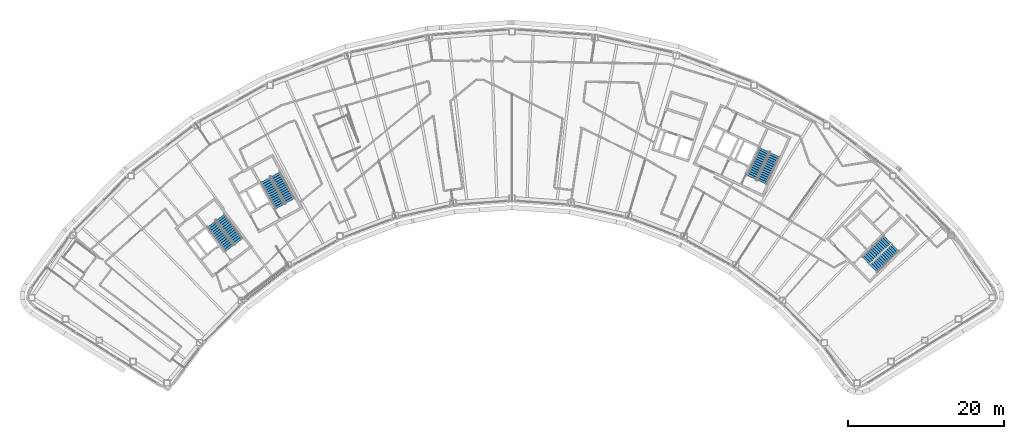
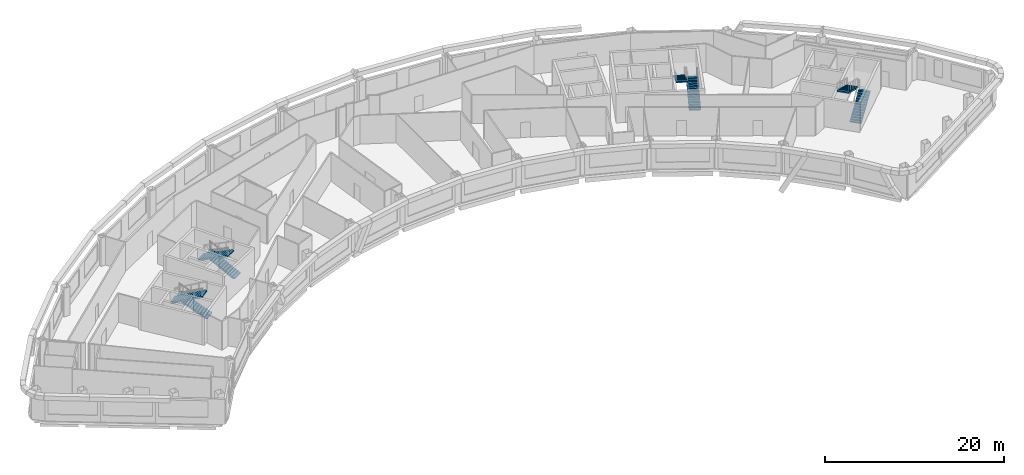
# One storey, part 12 of 14: 8 stair flights, 4 elements without a shape of their own.
"""IFC4 building model written with IfcOpenShell, lengths in metres."""

import ifcopenshell
import ifcopenshell.guid

model = None  # the IFC model being written
_history = None  # IfcOwnerHistory: only IFC2X3 demands one
_inside = {}  # id of a spatial element -> (the spatial element, [elements in it])
_under = {}  # id of a project, library or spatial element -> (it, [spatial elements below it])
_declared = {}  # id of a project -> (the project, [libraries it declares])
_typed = {}  # id of a type object -> (the type object, [elements of that type])
_made_of = {}  # id of a material, layer set ... -> (it, [elements and type objects made of it])


def new_model(schema):
    """Start an empty IFC model of exactly this schema.

    Asked for "IFC4X3", IfcOpenShell would pick the latest addendum, in which some entities
    have other attributes; the version numbers below select the first issue.
    IFC2X3 requires an IfcOwnerHistory on every rooted entity: one is made here for all.
    """
    global model, _history
    if schema == "IFC4X3":
        model = ifcopenshell.file(schema_version=(4, 3, 0, 0))
    else:
        model = ifcopenshell.file(schema=schema)
    _inside.clear()
    _under.clear()
    _declared.clear()
    _typed.clear()
    _made_of.clear()
    _history = None
    if model.schema == "IFC2X3":
        org = make("IfcOrganization", Name="unknown")
        user = make(
            "IfcPersonAndOrganization",
            ThePerson=make("IfcPerson", FamilyName="unknown"),
            TheOrganization=org,
        )
        app = make(
            "IfcApplication",
            ApplicationDeveloper=org,
            Version="unknown",
            ApplicationFullName="unknown",
            ApplicationIdentifier="unknown",
        )
        _history = make(
            "IfcOwnerHistory",
            OwningUser=user,
            OwningApplication=app,
            ChangeAction="ADDED",
            CreationDate=0,
        )
    return model


def make(cls, **values):
    """One entity of the class cls with the attributes given. An attribute that is None is left unset."""
    return model.create_entity(
        cls, **{name: value for name, value in values.items() if value is not None}
    )


def rooted(cls, **values):
    """An entity with a GlobalId (a new one), such as an element, a storey or a relation."""
    return make(cls, GlobalId=ifcopenshell.guid.new(), OwnerHistory=_history, **values)


def si_unit(unit_type, name, prefix=None):
    """IfcSIUnit, for example si_unit("LENGTHUNIT", "METRE", prefix="MILLI")."""
    return make("IfcSIUnit", UnitType=unit_type, Prefix=prefix, Name=name)


def assignment(units):
    """IfcUnitAssignment: the units of a project."""
    return None if units is None else make("IfcUnitAssignment", Units=units)


def point(xyz):
    """IfcCartesianPoint."""
    return None if xyz is None else make("IfcCartesianPoint", Coordinates=xyz)


def direction(xyz):
    """IfcDirection."""
    return None if xyz is None else make("IfcDirection", DirectionRatios=xyz)


def frame(location, z_axis=None, x_axis=None):
    """IfcAxis2Placement3D, a coordinate frame: its origin and axes. An axis left out is left unset."""
    return make(
        "IfcAxis2Placement3D",
        Location=point(location),
        Axis=direction(z_axis),
        RefDirection=direction(x_axis),
    )


def origin():
    """The frame at (0, 0, 0) with its axes left unset."""
    return frame((0.0, 0.0, 0.0))


def place(relative_to, where):
    """IfcLocalPlacement: puts the frame where relative to a parent placement (None: the world)."""
    return make(
        "IfcLocalPlacement", PlacementRelTo=relative_to, RelativePlacement=where
    )


def context(
    kind, dimensions, precision=None, world=None, true_north=None, identifier=None
):
    """IfcGeometricRepresentationContext, for example the 3D "Model" context."""
    return make(
        "IfcGeometricRepresentationContext",
        ContextIdentifier=identifier,
        ContextType=kind,
        CoordinateSpaceDimension=dimensions,
        Precision=precision,
        WorldCoordinateSystem=world,
        TrueNorth=true_north,
    )


def subcontext(parent, identifier, kind, view, scale=None):
    """IfcGeometricRepresentationSubContext, for example "Body" below "Model"."""
    return make(
        "IfcGeometricRepresentationSubContext",
        ContextIdentifier=identifier,
        ContextType=kind,
        ParentContext=parent,
        TargetScale=scale,
        TargetView=view,
    )


def project(units=None, contexts=None):
    """IfcProject with its units and contexts."""
    return rooted(
        "IfcProject",
        Name="project",
        RepresentationContexts=contexts,
        UnitsInContext=assignment(units),
    )


def spatial(cls, under=None, at=None, **own):
    """A site, building, storey or space (cls), placed at a placement, below another one or the project."""
    s = rooted(cls, ObjectPlacement=at, **own)
    if under is not None:
        _under.setdefault(under.id(), (under, []))[1].append(s)
    return s


def polyline(points):
    """IfcPolyline through the points."""
    return make("IfcPolyline", Points=[point(p) for p in points])


def outline(outer, holes=None, kind="AREA"):
    """IfcArbitraryClosedProfileDef: a profile drawn as a closed curve; with holes, ...WithVoids."""
    if holes is None:
        return make("IfcArbitraryClosedProfileDef", ProfileType=kind, OuterCurve=outer)
    return make(
        "IfcArbitraryProfileDefWithVoids",
        ProfileType=kind,
        OuterCurve=outer,
        InnerCurves=holes,
    )


def extrude(swept, where, along, depth):
    """IfcExtrudedAreaSolid: the profile swept, set in the frame where, extruded along a direction by depth."""
    return make(
        "IfcExtrudedAreaSolid",
        SweptArea=swept,
        Position=where,
        ExtrudedDirection=direction(along),
        Depth=depth,
    )


def shape(context_of_items, identifier, shape_type, items):
    """IfcShapeRepresentation: the items that make up one representation, for example the "Body"."""
    return make(
        "IfcShapeRepresentation",
        ContextOfItems=context_of_items,
        RepresentationIdentifier=identifier,
        RepresentationType=shape_type,
        Items=items,
    )


def material(Name=None, Category=None):
    """IfcMaterial."""
    return make("IfcMaterial", Name=Name, Category=Category)


def made_of(thing, what):
    """Note that an element or type object is made of a material, layer set ...; save() writes the relation."""
    if what is not None:
        _made_of.setdefault(what.id(), (what, []))[1].append(thing)
    return thing


def type_object(cls, material=None, **own):
    """A type object (cls), such as IfcWallType, which elements share."""
    return made_of(rooted(cls, **own), material)


def element(
    cls,
    number,
    at=None,
    inside=None,
    cuts=None,
    type_object=None,
    material=None,
    context=None,
    identifier="Body",
    shape_type=None,
    held_by="IfcProductDefinitionShape",
    body=None,
    shapes=None,
    **own,
):
    """One element of the class cls, such as IfcWall. Its Tag is "e" and its number.

    at: its placement. inside: the storey or other place that contains it. cuts: it is an
    opening in that element (IfcRelVoidsElement). A single representation is given by context,
    identifier, shape_type and body (its items); several are given by shapes. held_by: the class
    of the entity that holds the representations. save() writes the other relations.
    """
    e = rooted(cls, Tag="e%d" % number, ObjectPlacement=at, **own)
    if body is not None:
        shapes = [shape(context, identifier, shape_type, body)]
    if shapes is not None:
        e.Representation = make(held_by, Representations=shapes)
    if inside is not None:
        _inside.setdefault(inside.id(), (inside, []))[1].append(e)
    if cuts is not None:
        rooted(
            "IfcRelVoidsElement", RelatingBuildingElement=cuts, RelatedOpeningElement=e
        )
    if type_object is not None:
        _typed.setdefault(type_object.id(), (type_object, []))[1].append(e)
    return made_of(e, material)


def aggregate(whole, parts):
    """IfcRelAggregates: a whole, such as a stair, and the parts it consists of."""
    return rooted("IfcRelAggregates", RelatingObject=whole, RelatedObjects=parts)


def save(model, path):
    """Write the relations noted so far, then the file.

    IfcRelAggregates (storeys below a building ...), IfcRelContainedInSpatialStructure (elements
    in a storey), IfcRelDefinesByType, IfcRelAssociatesMaterial and IfcRelDeclares: one each for
    every whole, place, type object, material and project.
    """
    for whole, parts in _under.values():
        aggregate(whole, parts)
    for where, things in _inside.values():
        rooted(
            "IfcRelContainedInSpatialStructure",
            RelatedElements=things,
            RelatingStructure=where,
        )
    for kind, things in _typed.values():
        rooted("IfcRelDefinesByType", RelatedObjects=things, RelatingType=kind)
    for what, things in _made_of.values():
        rooted("IfcRelAssociatesMaterial", RelatedObjects=things, RelatingMaterial=what)
    for by, libraries in _declared.values():
        rooted("IfcRelDeclares", RelatingContext=by, RelatedDefinitions=libraries)
    model.write(path)


model = new_model("IFC4")

# Units and contexts
model_context = context("Model", 3, precision=1e-05, world=origin(), true_north=direction((0.0, 1.0)))
body_context = subcontext(model_context, "Body", "Model", "MODEL_VIEW")
ifc_project = project(units=[si_unit("LENGTHUNIT", "METRE"), si_unit("AREAUNIT", "SQUARE_METRE"), si_unit("VOLUMEUNIT", "CUBIC_METRE"), si_unit("PLANEANGLEUNIT", "RADIAN"), si_unit("MASSUNIT", "GRAM", prefix="KILO")], contexts=[model_context])

# Site, building, storey
site_placement = place(None, origin())
site = spatial("IfcSite", under=ifc_project, at=site_placement, CompositionType="ELEMENT")
building_placement = place(site_placement, origin())
building = spatial("IfcBuilding", under=site, at=building_placement, Name="Tuul Gate Civic Tower", CompositionType="ELEMENT")
storey_placement = place(building_placement, frame((0.0, 0.0, 323.89990234375)))
storey = spatial("IfcBuildingStorey", under=building, at=storey_placement, Name="Level 73", CompositionType="ELEMENT", Elevation=323.89990234375)

# Stair, stair flights
ifc_material_1 = material(Name="Concrete C40/50", Category="concrete")
stair_type = type_object("IfcStairType", Name="Exit stair", PredefinedType="HALF_TURN_STAIR", material=ifc_material_1)
stair_1_placement = place(storey_placement, origin())
stair_1 = element("IfcStair", 1, at=stair_1_placement, inside=storey, type_object=stair_type, Name="Level 73 ST-1", PredefinedType="HALF_TURN_STAIR")
ifc_material_2 = material(Name="Concrete C40/50", Category="concrete")
stair_flight_type = type_object("IfcStairFlightType", Name="Exit stair flight", PredefinedType="STRAIGHT", material=ifc_material_2)
stair_flight_1_placement = place(storey_placement, frame((-32.875244140625, -13.066650390625, 0.0), z_axis=(0.0, 0.0, 1.0), x_axis=(-0.605764474941, 0.795644016442, 0.0)))
stair_flight_1 = element("IfcStairFlight", 2, at=stair_flight_1_placement, type_object=stair_flight_type, Name="ST-1 flight 1", NumberOfRisers=14, NumberOfTreads=13, PredefinedType="STRAIGHT", RiserHeight=0.15, TreadLength=0.3, context=body_context, shape_type="SweptSolid", body=[
    extrude(outline(polyline([(0.0, 0.0), (0.0, 0.14990234375), (0.300048828125, 0.14990234375), (0.300048828125, 0.300048828125), (0.60009765625, 0.300048828125), (0.60009765625, 0.449951171875), (0.89990234375, 0.449951171875), (0.89990234375, 0.60009765625), (1.199951171875, 0.60009765625), (1.199951171875, 0.75), (1.5, 0.75), (1.5, 0.89990234375), (1.800048828125, 0.89990234375), (1.800048828125, 1.050048828125), (2.10009765625, 1.050048828125), (2.10009765625, 1.199951171875), (2.39990234375, 1.199951171875), (2.39990234375, 1.35009765625), (2.699951171875, 1.35009765625), (2.699951171875, 1.5), (3.0, 1.5), (3.0, 1.64990234375), (3.300048828125, 1.64990234375), (3.300048828125, 1.800048828125), (3.60009765625, 1.800048828125), (3.60009765625, 1.949951171875), (3.89990234375, 1.949951171875), (3.89990234375, 2.10009765625), (3.89990234375, 1.782470703125), (0.335205078125, 0.0), (0.0, 0.0)])), frame((0.0, 0.675048828125, 0.0), z_axis=(0.0, -1.0, 0.0), x_axis=(1.0, 0.0, 0.0)), (0.0, 0.0, 1.0), 1.35009765625),
])
stair_flight_2_placement = place(storey_placement, frame((-36.391357421875, -10.842041015625, 2.10009765625), z_axis=(0.0, 0.0, 1.0), x_axis=(0.605764474941, -0.795644016442, 0.0)))
stair_flight_2 = element("IfcStairFlight", 3, at=stair_flight_2_placement, type_object=stair_flight_type, Name="ST-1 flight 2", NumberOfRisers=14, NumberOfTreads=13, PredefinedType="STRAIGHT", RiserHeight=0.15, TreadLength=0.3, context=body_context, shape_type="SweptSolid", body=[
    extrude(outline(polyline([(0.0, 0.0), (0.0, 0.14990234375), (0.300048828125, 0.14990234375), (0.300048828125, 0.300048828125), (0.60009765625, 0.300048828125), (0.60009765625, 0.449951171875), (0.89990234375, 0.449951171875), (0.89990234375, 0.60009765625), (1.199951171875, 0.60009765625), (1.199951171875, 0.75), (1.5, 0.75), (1.5, 0.89990234375), (1.800048828125, 0.89990234375), (1.800048828125, 1.050048828125), (2.10009765625, 1.050048828125), (2.10009765625, 1.199951171875), (2.39990234375, 1.199951171875), (2.39990234375, 1.35009765625), (2.699951171875, 1.35009765625), (2.699951171875, 1.5), (3.0, 1.5), (3.0, 1.64990234375), (3.300048828125, 1.64990234375), (3.300048828125, 1.800048828125), (3.60009765625, 1.800048828125), (3.60009765625, 1.949951171875), (3.89990234375, 1.949951171875), (3.89990234375, 2.10009765625), (3.89990234375, 1.782470703125), (0.335205078125, 0.0), (0.0, 0.0)])), frame((0.0, 0.675048828125, 0.0), z_axis=(0.0, -1.0, 0.0), x_axis=(1.0, 0.0, 0.0)), (0.0, 0.0, 1.0), 1.35009765625),
])
aggregate(stair_1, [stair_flight_1, stair_flight_2])

stair_2_placement = place(storey_placement, origin())
stair_2 = element("IfcStair", 4, at=stair_2_placement, inside=storey, type_object=stair_type, Name="Level 73 ST-2", PredefinedType="HALF_TURN_STAIR")
stair_flight_3_placement = place(storey_placement, frame((-26.29150390625, -7.87646484375, 0.0), z_axis=(0.0, 0.0, 1.0), x_axis=(-0.484761763766, 0.874646232708, 0.0)))
stair_flight_3 = element("IfcStairFlight", 5, at=stair_flight_3_placement, type_object=stair_flight_type, Name="ST-2 flight 1", NumberOfRisers=14, NumberOfTreads=13, PredefinedType="STRAIGHT", RiserHeight=0.15, TreadLength=0.3, context=body_context, shape_type="SweptSolid", body=[
    extrude(outline(polyline([(0.0, 0.0), (0.0, 0.14990234375), (0.300048828125, 0.14990234375), (0.300048828125, 0.300048828125), (0.60009765625, 0.300048828125), (0.60009765625, 0.449951171875), (0.89990234375, 0.449951171875), (0.89990234375, 0.60009765625), (1.199951171875, 0.60009765625), (1.199951171875, 0.75), (1.5, 0.75), (1.5, 0.89990234375), (1.800048828125, 0.89990234375), (1.800048828125, 1.050048828125), (2.10009765625, 1.050048828125), (2.10009765625, 1.199951171875), (2.39990234375, 1.199951171875), (2.39990234375, 1.35009765625), (2.699951171875, 1.35009765625), (2.699951171875, 1.5), (3.0, 1.5), (3.0, 1.64990234375), (3.300048828125, 1.64990234375), (3.300048828125, 1.800048828125), (3.60009765625, 1.800048828125), (3.60009765625, 1.949951171875), (3.89990234375, 1.949951171875), (3.89990234375, 2.10009765625), (3.89990234375, 1.782470703125), (0.335205078125, 0.0), (0.0, 0.0)])), frame((0.0, 0.675048828125, 0.0), z_axis=(0.0, -1.0, 0.0), x_axis=(1.0, 0.0, 0.0)), (0.0, 0.0, 1.0), 1.35009765625),
])
stair_flight_4_placement = place(storey_placement, frame((-29.450439453125, -5.168212890625, 2.10009765625), z_axis=(0.0, 0.0, 1.0), x_axis=(0.484761763766, -0.874646232708, 0.0)))
stair_flight_4 = element("IfcStairFlight", 6, at=stair_flight_4_placement, type_object=stair_flight_type, Name="ST-2 flight 2", NumberOfRisers=14, NumberOfTreads=13, PredefinedType="STRAIGHT", RiserHeight=0.15, TreadLength=0.3, context=body_context, shape_type="SweptSolid", body=[
    extrude(outline(polyline([(0.0, 0.0), (0.0, 0.14990234375), (0.300048828125, 0.14990234375), (0.300048828125, 0.300048828125), (0.60009765625, 0.300048828125), (0.60009765625, 0.449951171875), (0.89990234375, 0.449951171875), (0.89990234375, 0.60009765625), (1.199951171875, 0.60009765625), (1.199951171875, 0.75), (1.5, 0.75), (1.5, 0.89990234375), (1.800048828125, 0.89990234375), (1.800048828125, 1.050048828125), (2.10009765625, 1.050048828125), (2.10009765625, 1.199951171875), (2.39990234375, 1.199951171875), (2.39990234375, 1.35009765625), (2.699951171875, 1.35009765625), (2.699951171875, 1.5), (3.0, 1.5), (3.0, 1.64990234375), (3.300048828125, 1.64990234375), (3.300048828125, 1.800048828125), (3.60009765625, 1.800048828125), (3.60009765625, 1.949951171875), (3.89990234375, 1.949951171875), (3.89990234375, 2.10009765625), (3.89990234375, 1.782470703125), (0.335205078125, 0.0), (0.0, 0.0)])), frame((0.0, 0.675048828125, 0.0), z_axis=(0.0, -1.0, 0.0), x_axis=(1.0, 0.0, 0.0)), (0.0, 0.0, 1.0), 1.35009765625),
])
aggregate(stair_2, [stair_flight_3, stair_flight_4])

stair_3_placement = place(storey_placement, origin())
stair_3 = element("IfcStair", 7, at=stair_3_placement, inside=storey, type_object=stair_type, Name="Level 73 ST-3", PredefinedType="HALF_TURN_STAIR")
stair_flight_5_placement = place(storey_placement, frame((48.61376953125, -16.581787109375, 0.0), z_axis=(0.0, 0.0, 1.0), x_axis=(0.714127290059, 0.700015866672, 0.0)))
stair_flight_5 = element("IfcStairFlight", 8, at=stair_flight_5_placement, type_object=stair_flight_type, Name="ST-3 flight 1", NumberOfRisers=14, NumberOfTreads=13, PredefinedType="STRAIGHT", RiserHeight=0.15, TreadLength=0.3, context=body_context, shape_type="SweptSolid", body=[
    extrude(outline(polyline([(0.0, 0.0), (0.0, 0.14990234375), (0.300048828125, 0.14990234375), (0.300048828125, 0.300048828125), (0.60009765625, 0.300048828125), (0.60009765625, 0.449951171875), (0.89990234375, 0.449951171875), (0.89990234375, 0.60009765625), (1.199951171875, 0.60009765625), (1.199951171875, 0.75), (1.5, 0.75), (1.5, 0.89990234375), (1.800048828125, 0.89990234375), (1.800048828125, 1.050048828125), (2.10009765625, 1.050048828125), (2.10009765625, 1.199951171875), (2.39990234375, 1.199951171875), (2.39990234375, 1.35009765625), (2.699951171875, 1.35009765625), (2.699951171875, 1.5), (3.0, 1.5), (3.0, 1.64990234375), (3.300048828125, 1.64990234375), (3.300048828125, 1.800048828125), (3.60009765625, 1.800048828125), (3.60009765625, 1.949951171875), (3.89990234375, 1.949951171875), (3.89990234375, 2.10009765625), (3.89990234375, 1.782470703125), (0.335205078125, 0.0), (0.0, 0.0)])), frame((0.0, 0.675048828125, 0.0), z_axis=(0.0, -1.0, 0.0), x_axis=(1.0, 0.0, 0.0)), (0.0, 0.0, 1.0), 1.35009765625),
])
stair_flight_6_placement = place(storey_placement, frame((50.3837890625, -12.816162109375, 2.10009765625), z_axis=(0.0, 0.0, 1.0), x_axis=(-0.714127290059, -0.700015866672, 0.0)))
stair_flight_6 = element("IfcStairFlight", 9, at=stair_flight_6_placement, type_object=stair_flight_type, Name="ST-3 flight 2", NumberOfRisers=14, NumberOfTreads=13, PredefinedType="STRAIGHT", RiserHeight=0.15, TreadLength=0.3, context=body_context, shape_type="SweptSolid", body=[
    extrude(outline(polyline([(0.0, 0.0), (0.0, 0.14990234375), (0.300048828125, 0.14990234375), (0.300048828125, 0.300048828125), (0.60009765625, 0.300048828125), (0.60009765625, 0.449951171875), (0.89990234375, 0.449951171875), (0.89990234375, 0.60009765625), (1.199951171875, 0.60009765625), (1.199951171875, 0.75), (1.5, 0.75), (1.5, 0.89990234375), (1.800048828125, 0.89990234375), (1.800048828125, 1.050048828125), (2.10009765625, 1.050048828125), (2.10009765625, 1.199951171875), (2.39990234375, 1.199951171875), (2.39990234375, 1.35009765625), (2.699951171875, 1.35009765625), (2.699951171875, 1.5), (3.0, 1.5), (3.0, 1.64990234375), (3.300048828125, 1.64990234375), (3.300048828125, 1.800048828125), (3.60009765625, 1.800048828125), (3.60009765625, 1.949951171875), (3.89990234375, 1.949951171875), (3.89990234375, 2.10009765625), (3.89990234375, 1.782470703125), (0.335205078125, 0.0), (0.0, 0.0)])), frame((0.0, 0.675048828125, 0.0), z_axis=(0.0, -1.0, 0.0), x_axis=(1.0, 0.0, 0.0)), (0.0, 0.0, 1.0), 1.35009765625),
])
aggregate(stair_3, [stair_flight_5, stair_flight_6])

stair_4_placement = place(storey_placement, origin())
stair_4 = element("IfcStair", 10, at=stair_4_placement, inside=storey, type_object=stair_type, Name="Level 73 ST-4", PredefinedType="HALF_TURN_STAIR")
stair_flight_7_placement = place(storey_placement, frame((34.278564453125, -5.478515625, 0.0), z_axis=(0.0, 0.0, 1.0), x_axis=(0.422576295988, 0.906327354806, 0.0)))
stair_flight_7 = element("IfcStairFlight", 11, at=stair_flight_7_placement, type_object=stair_flight_type, Name="ST-4 flight 1", NumberOfRisers=14, NumberOfTreads=13, PredefinedType="STRAIGHT", RiserHeight=0.15, TreadLength=0.3, context=body_context, shape_type="SweptSolid", body=[
    extrude(outline(polyline([(0.0, 0.0), (0.0, 0.14990234375), (0.300048828125, 0.14990234375), (0.300048828125, 0.300048828125), (0.60009765625, 0.300048828125), (0.60009765625, 0.449951171875), (0.89990234375, 0.449951171875), (0.89990234375, 0.60009765625), (1.199951171875, 0.60009765625), (1.199951171875, 0.75), (1.5, 0.75), (1.5, 0.89990234375), (1.800048828125, 0.89990234375), (1.800048828125, 1.050048828125), (2.10009765625, 1.050048828125), (2.10009765625, 1.199951171875), (2.39990234375, 1.199951171875), (2.39990234375, 1.35009765625), (2.699951171875, 1.35009765625), (2.699951171875, 1.5), (3.0, 1.5), (3.0, 1.64990234375), (3.300048828125, 1.64990234375), (3.300048828125, 1.800048828125), (3.60009765625, 1.800048828125), (3.60009765625, 1.949951171875), (3.89990234375, 1.949951171875), (3.89990234375, 2.10009765625), (3.89990234375, 1.782470703125), (0.335205078125, 0.0), (0.0, 0.0)])), frame((0.0, 0.675048828125, 0.0), z_axis=(0.0, -1.0, 0.0), x_axis=(1.0, 0.0, 0.0)), (0.0, 0.0, 1.0), 1.35009765625),
])
stair_flight_8_placement = place(storey_placement, frame((34.612548828125, -1.3310546875, 2.10009765625), z_axis=(0.0, 0.0, 1.0), x_axis=(-0.422576295988, -0.906327354806, 0.0)))
stair_flight_8 = element("IfcStairFlight", 12, at=stair_flight_8_placement, type_object=stair_flight_type, Name="ST-4 flight 2", NumberOfRisers=14, NumberOfTreads=13, PredefinedType="STRAIGHT", RiserHeight=0.15, TreadLength=0.3, context=body_context, shape_type="SweptSolid", body=[
    extrude(outline(polyline([(0.0, 0.0), (0.0, 0.14990234375), (0.300048828125, 0.14990234375), (0.300048828125, 0.300048828125), (0.60009765625, 0.300048828125), (0.60009765625, 0.449951171875), (0.89990234375, 0.449951171875), (0.89990234375, 0.60009765625), (1.199951171875, 0.60009765625), (1.199951171875, 0.75), (1.5, 0.75), (1.5, 0.89990234375), (1.800048828125, 0.89990234375), (1.800048828125, 1.050048828125), (2.10009765625, 1.050048828125), (2.10009765625, 1.199951171875), (2.39990234375, 1.199951171875), (2.39990234375, 1.35009765625), (2.699951171875, 1.35009765625), (2.699951171875, 1.5), (3.0, 1.5), (3.0, 1.64990234375), (3.300048828125, 1.64990234375), (3.300048828125, 1.800048828125), (3.60009765625, 1.800048828125), (3.60009765625, 1.949951171875), (3.89990234375, 1.949951171875), (3.89990234375, 2.10009765625), (3.89990234375, 1.782470703125), (0.335205078125, 0.0), (0.0, 0.0)])), frame((0.0, 0.675048828125, 0.0), z_axis=(0.0, -1.0, 0.0), x_axis=(1.0, 0.0, 0.0)), (0.0, 0.0, 1.0), 1.35009765625),
])
aggregate(stair_4, [stair_flight_7, stair_flight_8])

save(model, "model.ifc")
